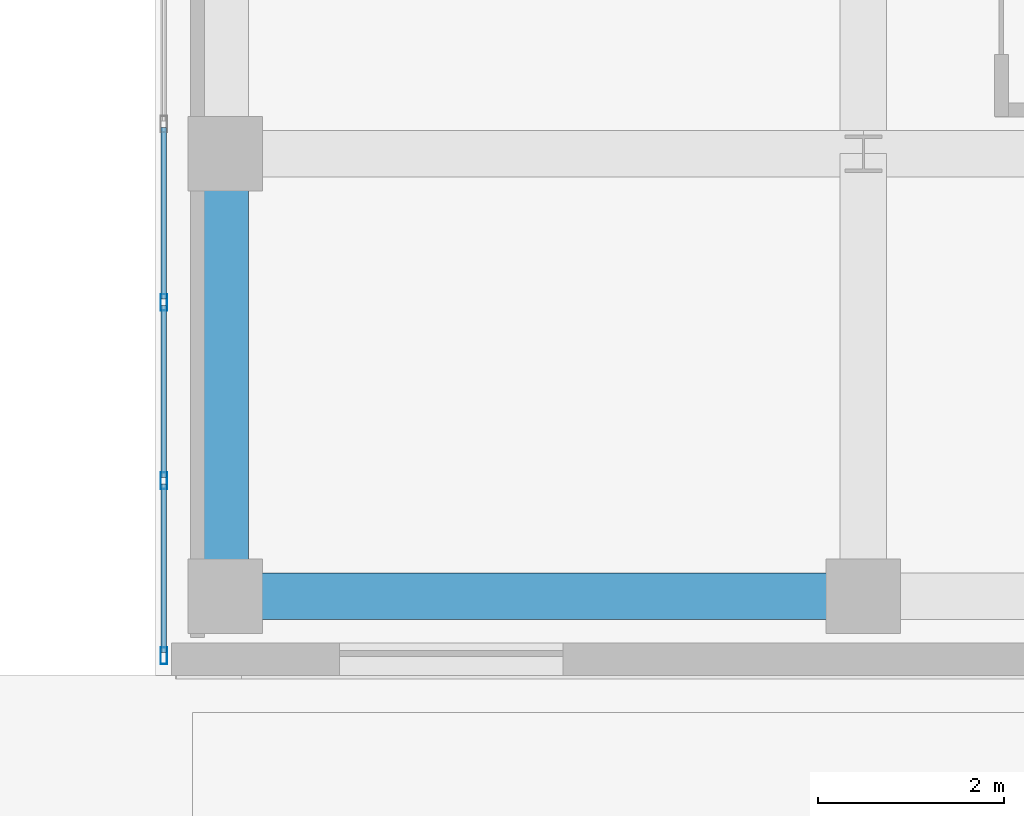
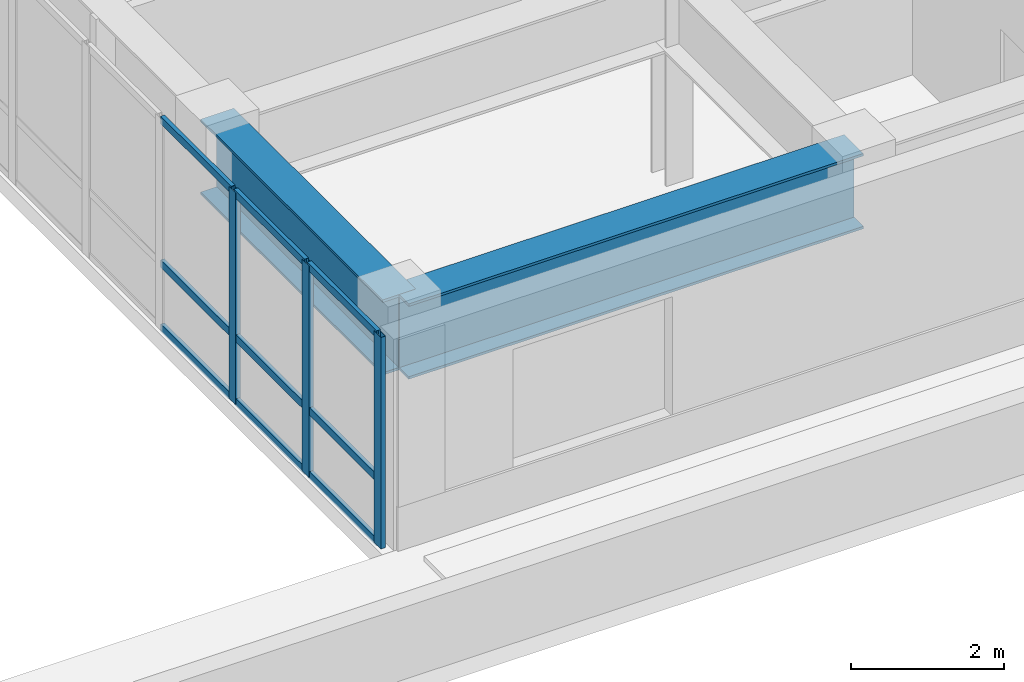
# One storey, part 5 of 20: 12 members, 2 beams, 1 element without a shape of its own.
"""IFC4 building model written with IfcOpenShell, lengths in metres."""

from ifc_helpers import new_model, si_unit, direction, frame, origin, origin_2d, place, context, subcontext, project, spatial, hollow_rectangle, i_section, extrude, source, transform, mapped, material, layer, layer_set, material_profile, profile_set, type_object, type_shapes, element, aggregate, save


model = new_model("IFC4")

# Units and contexts
model_context = context("Model", 3, precision=1e-05, world=origin(), true_north=direction((0.0, 1.0)))
body_context = subcontext(model_context, "Body", "Model", "MODEL_VIEW")
ifc_project = project(units=[si_unit("LENGTHUNIT", "METRE"), si_unit("AREAUNIT", "SQUARE_METRE"), si_unit("VOLUMEUNIT", "CUBIC_METRE"), si_unit("PLANEANGLEUNIT", "RADIAN"), si_unit("MASSUNIT", "GRAM", prefix="KILO")], contexts=[model_context])

# Site, building, storey
site_placement = place(None, origin())
site = spatial("IfcSite", under=ifc_project, at=site_placement, CompositionType="ELEMENT")
building_placement = place(site_placement, origin())
building = spatial("IfcBuilding", under=site, at=building_placement, Name="Tolvann Quenvar Hotel", CompositionType="ELEMENT")
storey_placement = place(building_placement, frame((0.0, 0.0, 147.050048828125)))
storey = spatial("IfcBuildingStorey", under=building, at=storey_placement, Name="L38", CompositionType="ELEMENT", Elevation=147.050048828125)

# Beams
ifc_material_1 = material(Name="Steel Grade 350", Category="steel")
ifc_material_profile_1 = material_profile(ifc_material_1, i_section(OverallWidth=0.5, OverallDepth=1.199951171875, WebThickness=0.01611328125, FlangeThickness=0.0400390625, at=origin_2d()), Name="1200WB455")
ifc_profile_set_1 = profile_set([ifc_material_profile_1], Name="Steel Grade 350")
beam_type = type_object("IfcBeamType", Name="BM_TG_1200WB455", PredefinedType="USERDEFINED", material=ifc_profile_set_1)
shared_shape_1 = source(origin(), body_context, "Body", "SweptSolid", [
    extrude(i_section(OverallWidth=0.5, OverallDepth=1.199951171875, WebThickness=0.01611328125, FlangeThickness=0.0400390625, at=origin_2d()), origin(), (0.0, 0.0, 1.0), 6.85009765625),
])
beam_1_placement = place(storey_placement, frame((34.949951171875, 3.449951171875, 2.77001953125), z_axis=(1.0, 0.0, 0.0), x_axis=(0.0, 1.0, 0.0)))
element("IfcBeam", 1, at=beam_1_placement, inside=storey, type_object=beam_type, Name="BM-L38-EW-2-F2-H2", ObjectType="TRANSFER GIRDER", PredefinedType="USERDEFINED", context=body_context, shape_type="MappedRepresentation", body=[
    mapped(shared_shape_1, transform((0.0, 0.0, 0.0), x_axis=(1.0, 0.0, 0.0), y_axis=(0.0, 1.0, 0.0), z_axis=(0.0, 0.0, 1.0), scale=1.0)),
])
shared_shape_2 = source(origin(), body_context, "Body", "SweptSolid", [
    extrude(i_section(OverallWidth=0.5, OverallDepth=1.199951171875, WebThickness=0.01611328125, FlangeThickness=0.0400390625, at=origin_2d()), origin(), (0.0, 0.0, 1.0), 4.75),
])
type_shapes(beam_type, [shared_shape_1, shared_shape_2])
beam_2_placement = place(storey_placement, frame((34.949951171875, 3.449951171875, 2.77001953125), z_axis=(0.0, 1.0, 0.0), x_axis=(-1.0, 0.0, 0.0)))
element("IfcBeam", 2, at=beam_2_placement, inside=storey, type_object=beam_type, Name="BM-L38-NS-F2-F3", ObjectType="TRANSFER GIRDER", PredefinedType="USERDEFINED", context=body_context, shape_type="MappedRepresentation", body=[
    mapped(shared_shape_2, transform((0.0, 0.0, 0.0), x_axis=(1.0, 0.0, 0.0), y_axis=(0.0, 1.0, 0.0), z_axis=(0.0, 0.0, 1.0), scale=1.0)),
])

# Curtain wall, members
ifc_material_2 = material(Name="Thermally broken anodised architectural aluminium 6063-T6 and laminated low-E glass", Category="aluminium")
ifc_layer = layer(ifc_material_2, 0.179931640625)
ifc_layer_set = layer_set([ifc_layer], Name="Thermally broken anodised architectural aluminium 6063-T6 and laminated low-E glass")
curtain_wall_type = type_object("IfcCurtainWallType", Name="CW_SYS_SLOT_03", PredefinedType="USERDEFINED", material=ifc_layer_set)
curtain_wall_placement = place(storey_placement, origin())
curtain_wall = element("IfcCurtainWall", 3, at=curtain_wall_placement, inside=storey, type_object=curtain_wall_type, Name="Curtain Wall CW-SLOT-03 (CWR-L38-E07)", ObjectType="UNITISED CURTAIN WALL", PredefinedType="USERDEFINED")
ifc_material_3 = material(Name="Anodised architectural aluminium 6063-T6 framing", Category="aluminium")
ifc_material_profile_2 = material_profile(ifc_material_3, hollow_rectangle(XDim=0.070068359375, YDim=0.179931640625, WallThickness=0.00390625, at=origin_2d()), Name="180x70x4RHS")
ifc_profile_set_2 = profile_set([ifc_material_profile_2], Name="Anodised architectural aluminium 6063-T6 framing")
member_type_1 = type_object("IfcMemberType", Name="CW_MULL_180x70", PredefinedType="MULLION", material=ifc_profile_set_2)
shared_shape_3 = source(origin(), body_context, "Body", "SweptSolid", [
    extrude(hollow_rectangle(XDim=0.070068359375, YDim=0.179931640625, WallThickness=0.00390625, at=origin_2d()), origin(), (0.0, 0.0, 1.0), 3.369873046875),
])
type_shapes(member_type_1, [shared_shape_3])
member_1_placement = place(storey_placement, frame((34.2900390625, 6.603515625, 0.0), z_axis=(0.0, 0.0, 1.0), x_axis=(1.0, 0.0, 0.0)))
member_1 = element("IfcMember", 4, at=member_1_placement, type_object=member_type_1, Name="CW-SLOT-03 mullion 6", PredefinedType="MULLION", context=body_context, shape_type="MappedRepresentation", body=[
    mapped(shared_shape_3, transform((0.0, 0.0, 0.0), x_axis=(1.0, 0.0, 0.0), y_axis=(0.0, 1.0, 0.0), z_axis=(0.0, 0.0, 1.0), scale=1.0)),
])
member_2_placement = place(storey_placement, frame((34.2900390625, 4.689208984375, 0.0), z_axis=(0.0, 0.0, 1.0), x_axis=(1.0, 0.0, 0.0)))
member_2 = element("IfcMember", 5, at=member_2_placement, type_object=member_type_1, Name="CW-SLOT-03 mullion 7", PredefinedType="MULLION", context=body_context, shape_type="MappedRepresentation", body=[
    mapped(shared_shape_3, transform((0.0, 0.0, 0.0), x_axis=(1.0, 0.0, 0.0), y_axis=(0.0, 1.0, 0.0), z_axis=(0.0, 0.0, 1.0), scale=1.0)),
])
member_3_placement = place(storey_placement, frame((34.2900390625, 2.81005859375, 0.0), z_axis=(0.0, 0.0, 1.0), x_axis=(1.0, 0.0, 0.0)))
member_3 = element("IfcMember", 6, at=member_3_placement, type_object=member_type_1, Name="CW-SLOT-03 mullion 8", PredefinedType="MULLION", context=body_context, shape_type="MappedRepresentation", body=[
    mapped(shared_shape_3, transform((0.0, 0.0, 0.0), x_axis=(1.0, 0.0, 0.0), y_axis=(0.0, 1.0, 0.0), z_axis=(0.0, 0.0, 1.0), scale=1.0)),
])
ifc_material_profile_3 = material_profile(ifc_material_3, hollow_rectangle(XDim=0.06005859375, YDim=0.1201171875, WallThickness=0.00341796875, at=origin_2d()), Name="120x60x3.5RHS")
ifc_profile_set_3 = profile_set([ifc_material_profile_3], Name="Anodised architectural aluminium 6063-T6 framing")
member_type_2 = type_object("IfcMemberType", Name="CW_TRAN_120x60", PredefinedType="USERDEFINED", material=ifc_profile_set_3)
shared_shape_4 = source(origin(), body_context, "Body", "SweptSolid", [
    extrude(hollow_rectangle(XDim=0.06005859375, YDim=0.1201171875, WallThickness=0.00341796875, at=origin_2d()), origin(), (0.0, 0.0, 1.0), 1.809326171875),
])
member_4_placement = place(storey_placement, frame((34.2900390625, 4.654296875, 0.030029296875), z_axis=(0.0, -1.0, 0.0), x_axis=(1.0, 0.0, 0.0)))
member_4 = element("IfcMember", 7, at=member_4_placement, type_object=member_type_2, Name="CW-SLOT-03 transom 7.1", ObjectType="TRANSOM", PredefinedType="USERDEFINED", context=body_context, shape_type="MappedRepresentation", body=[
    mapped(shared_shape_4, transform((0.0, 0.0, 0.0), x_axis=(1.0, 0.0, 0.0), y_axis=(0.0, 1.0, 0.0), z_axis=(0.0, 0.0, 1.0), scale=1.0)),
])
member_5_placement = place(storey_placement, frame((34.2900390625, 4.654296875, 1.050048828125), z_axis=(0.0, -1.0, 0.0), x_axis=(1.0, 0.0, 0.0)))
member_5 = element("IfcMember", 8, at=member_5_placement, type_object=member_type_2, Name="CW-SLOT-03 transom 7.2", ObjectType="TRANSOM", PredefinedType="USERDEFINED", context=body_context, shape_type="MappedRepresentation", body=[
    mapped(shared_shape_4, transform((0.0, 0.0, 0.0), x_axis=(1.0, 0.0, 0.0), y_axis=(0.0, 1.0, 0.0), z_axis=(0.0, 0.0, 1.0), scale=1.0)),
])
member_6_placement = place(storey_placement, frame((34.2900390625, 4.654296875, 3.33984375), z_axis=(0.0, -1.0, 0.0), x_axis=(1.0, 0.0, 0.0)))
member_6 = element("IfcMember", 9, at=member_6_placement, type_object=member_type_2, Name="CW-SLOT-03 transom 7.3", ObjectType="TRANSOM", PredefinedType="USERDEFINED", context=body_context, shape_type="MappedRepresentation", body=[
    mapped(shared_shape_4, transform((0.0, 0.0, 0.0), x_axis=(1.0, 0.0, 0.0), y_axis=(0.0, 1.0, 0.0), z_axis=(0.0, 0.0, 1.0), scale=1.0)),
])
shared_shape_5 = source(origin(), body_context, "Body", "SweptSolid", [
    extrude(hollow_rectangle(XDim=0.06005859375, YDim=0.1201171875, WallThickness=0.00341796875, at=origin_2d()), origin(), (0.0, 0.0, 1.0), 1.84423828125),
])
type_shapes(member_type_2, [shared_shape_4, shared_shape_5])
member_7_placement = place(storey_placement, frame((34.2900390625, 8.48291015625, 0.030029296875), z_axis=(0.0, -1.0, 0.0), x_axis=(1.0, 0.0, 0.0)))
member_7 = element("IfcMember", 10, at=member_7_placement, type_object=member_type_2, Name="CW-SLOT-03 transom 5.1", ObjectType="TRANSOM", PredefinedType="USERDEFINED", context=body_context, shape_type="MappedRepresentation", body=[
    mapped(shared_shape_5, transform((0.0, 0.0, 0.0), x_axis=(1.0, 0.0, 0.0), y_axis=(0.0, 1.0, 0.0), z_axis=(0.0, 0.0, 1.0), scale=1.0)),
])
member_8_placement = place(storey_placement, frame((34.2900390625, 8.48291015625, 1.050048828125), z_axis=(0.0, -1.0, 0.0), x_axis=(1.0, 0.0, 0.0)))
member_8 = element("IfcMember", 11, at=member_8_placement, type_object=member_type_2, Name="CW-SLOT-03 transom 5.2", ObjectType="TRANSOM", PredefinedType="USERDEFINED", context=body_context, shape_type="MappedRepresentation", body=[
    mapped(shared_shape_5, transform((0.0, 0.0, 0.0), x_axis=(1.0, 0.0, 0.0), y_axis=(0.0, 1.0, 0.0), z_axis=(0.0, 0.0, 1.0), scale=1.0)),
])
member_9_placement = place(storey_placement, frame((34.2900390625, 8.48291015625, 3.33984375), z_axis=(0.0, -1.0, 0.0), x_axis=(1.0, 0.0, 0.0)))
member_9 = element("IfcMember", 12, at=member_9_placement, type_object=member_type_2, Name="CW-SLOT-03 transom 5.3", ObjectType="TRANSOM", PredefinedType="USERDEFINED", context=body_context, shape_type="MappedRepresentation", body=[
    mapped(shared_shape_5, transform((0.0, 0.0, 0.0), x_axis=(1.0, 0.0, 0.0), y_axis=(0.0, 1.0, 0.0), z_axis=(0.0, 0.0, 1.0), scale=1.0)),
])
member_10_placement = place(storey_placement, frame((34.2900390625, 6.568603515625, 0.030029296875), z_axis=(0.0, -1.0, 0.0), x_axis=(1.0, 0.0, 0.0)))
member_10 = element("IfcMember", 13, at=member_10_placement, type_object=member_type_2, Name="CW-SLOT-03 transom 6.1", ObjectType="TRANSOM", PredefinedType="USERDEFINED", context=body_context, shape_type="MappedRepresentation", body=[
    mapped(shared_shape_5, transform((0.0, 0.0, 0.0), x_axis=(1.0, 0.0, 0.0), y_axis=(0.0, 1.0, 0.0), z_axis=(0.0, 0.0, 1.0), scale=1.0)),
])
member_11_placement = place(storey_placement, frame((34.2900390625, 6.568603515625, 1.050048828125), z_axis=(0.0, -1.0, 0.0), x_axis=(1.0, 0.0, 0.0)))
member_11 = element("IfcMember", 14, at=member_11_placement, type_object=member_type_2, Name="CW-SLOT-03 transom 6.2", ObjectType="TRANSOM", PredefinedType="USERDEFINED", context=body_context, shape_type="MappedRepresentation", body=[
    mapped(shared_shape_5, transform((0.0, 0.0, 0.0), x_axis=(1.0, 0.0, 0.0), y_axis=(0.0, 1.0, 0.0), z_axis=(0.0, 0.0, 1.0), scale=1.0)),
])
member_12_placement = place(storey_placement, frame((34.2900390625, 6.568603515625, 3.33984375), z_axis=(0.0, -1.0, 0.0), x_axis=(1.0, 0.0, 0.0)))
member_12 = element("IfcMember", 15, at=member_12_placement, type_object=member_type_2, Name="CW-SLOT-03 transom 6.3", ObjectType="TRANSOM", PredefinedType="USERDEFINED", context=body_context, shape_type="MappedRepresentation", body=[
    mapped(shared_shape_5, transform((0.0, 0.0, 0.0), x_axis=(1.0, 0.0, 0.0), y_axis=(0.0, 1.0, 0.0), z_axis=(0.0, 0.0, 1.0), scale=1.0)),
])
aggregate(curtain_wall, [member_1, member_2, member_3, member_7, member_8, member_9, member_10, member_11, member_12, member_4, member_5, member_6])

save(model, "model.ifc")
